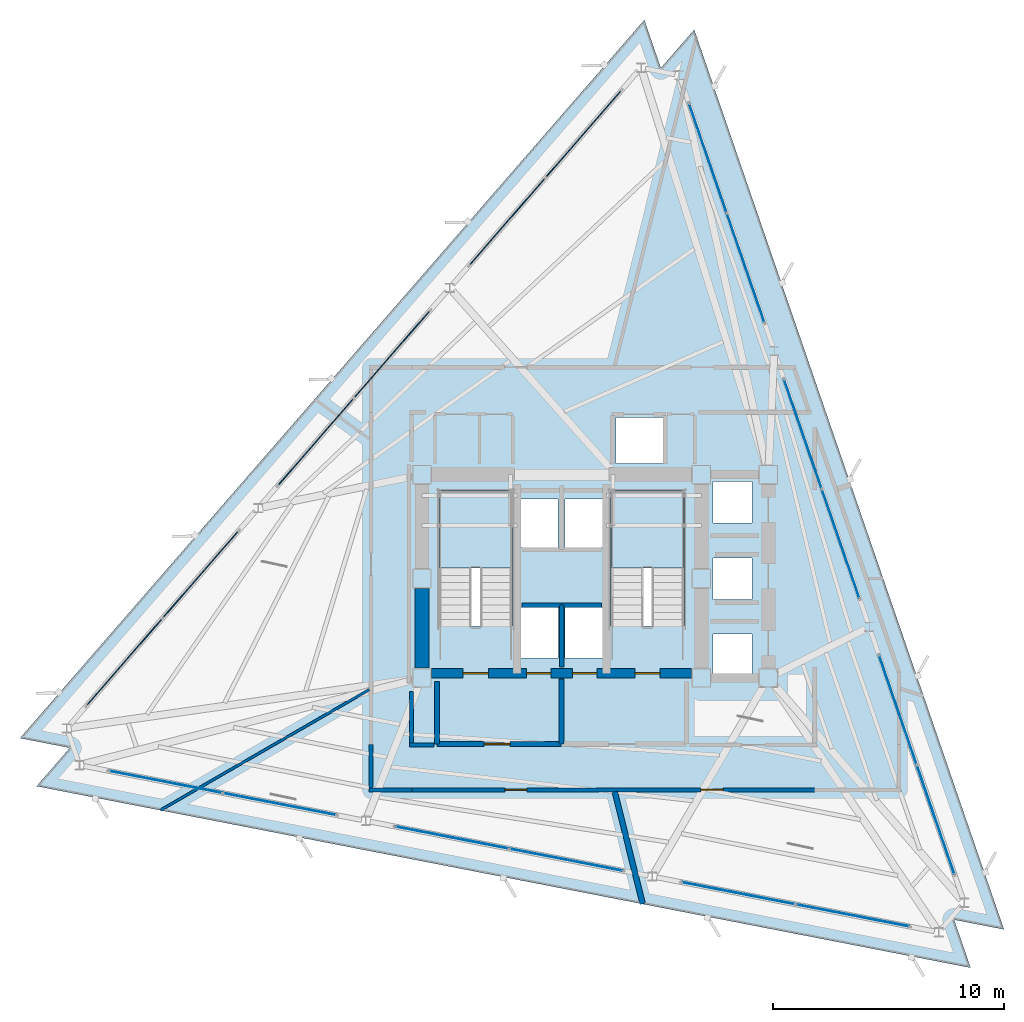
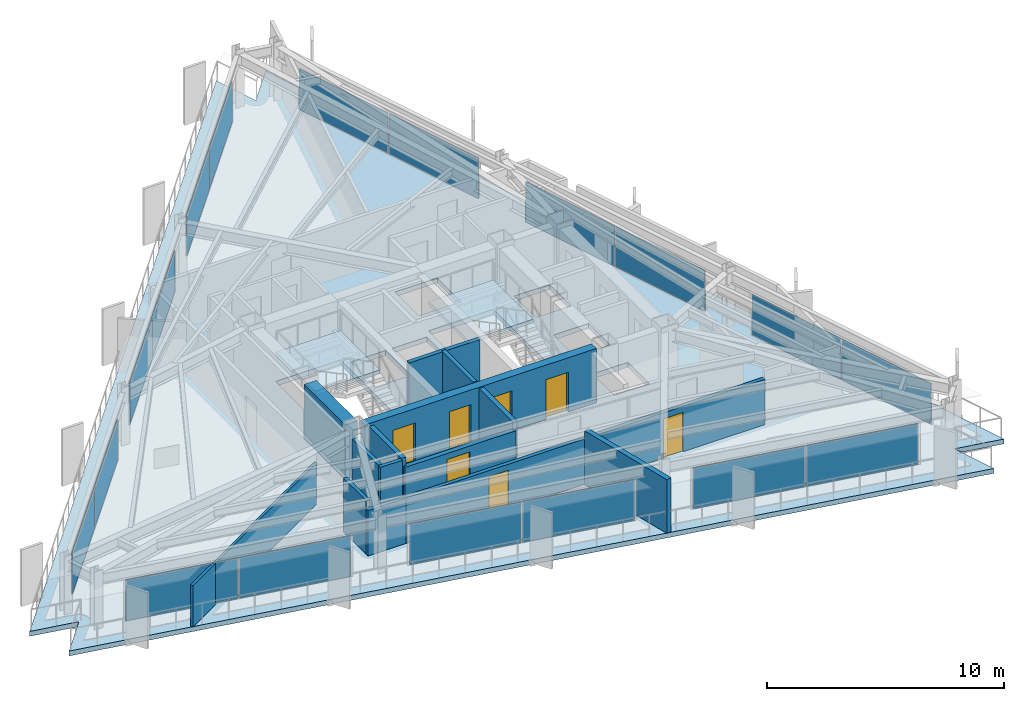
# One storey, part 8 of 13: 18 plates, 14 walls, 7 doors, 3 slabs, 7 openings, 11 elements without a shape of their own.
"""IFC4 building model written with IfcOpenShell, lengths in metres."""

from ifc_helpers import new_model, si_unit, direction, frame, frame_2d, origin, origin_2d, place, context, subcontext, project, spatial, polyline, rectangle, outline, extrude, material, layer, layer_set, type_object, element, fill, aggregate, save


model = new_model("IFC4")

# Units and contexts
model_context = context("Model", 3, precision=1e-05, world=origin(), true_north=direction((0.0, 1.0)))
body_context = subcontext(model_context, "Body", "Model", "MODEL_VIEW")
ifc_project = project(units=[si_unit("LENGTHUNIT", "METRE"), si_unit("AREAUNIT", "SQUARE_METRE"), si_unit("VOLUMEUNIT", "CUBIC_METRE"), si_unit("PLANEANGLEUNIT", "RADIAN"), si_unit("MASSUNIT", "GRAM", prefix="KILO")], contexts=[model_context])

# Site, building, storey
site_placement = place(None, origin())
site = spatial("IfcSite", under=ifc_project, at=site_placement, CompositionType="ELEMENT")
building_placement = place(site_placement, origin())
building = spatial("IfcBuilding", under=site, at=building_placement, Name="Rocaltana Carrier Exchange", CompositionType="ELEMENT")
storey_placement = place(building_placement, frame((0.0, 0.0, 153.280029296875)))
storey = spatial("IfcBuildingStorey", under=building, at=storey_placement, Name="L48", CompositionType="ELEMENT", Elevation=153.280029296875)

# Curtain wall, plates
ifc_material_1 = material(Name="Aluminium 6063-T6", Category="aluminium")
ifc_layer_1 = layer(ifc_material_1, 0.135009765625)
ifc_layer_set_1 = layer_set([ifc_layer_1], Name="Aluminium 6063-T6")
curtain_wall_type = type_object("IfcCurtainWallType", Name="Upper-Mid Acoustic Curtain Wall CW-04", PredefinedType="NOTDEFINED", material=ifc_layer_set_1)
curtain_wall_1_placement = place(storey_placement, origin())
curtain_wall_1 = element("IfcCurtainWall", 1, at=curtain_wall_1_placement, inside=storey, type_object=curtain_wall_type, Name="L48 CW-04 Run CW-L48-F1S1", PredefinedType="NOTDEFINED")
ifc_material_2 = material(Name="Tempered Laminated Glass", Category="glass")
ifc_layer_2 = layer(ifc_material_2, 0.0380859375)
ifc_layer_set_2 = layer_set([ifc_layer_2], Name="Tempered Laminated Glass")
plate_type = type_object("IfcPlateType", Name="CW-04 Stone-Insulated Vision Panel", PredefinedType="CURTAIN_PANEL", material=ifc_layer_set_2)
plate_1_placement = place(storey_placement, frame((16.197021484375, -10.4462890625, 0.06494140625), z_axis=(0.0, 0.0, 1.0), x_axis=(-0.325558788464, 0.945521800517, 0.0)))
plate_1 = element("IfcPlate", 2, at=plate_1_placement, type_object=plate_type, Name="CW-04 panel 1.1", PredefinedType="CURTAIN_PANEL", context=body_context, shape_type="SweptSolid", body=[
    extrude(rectangle(XDim=4.96923828125, YDim=0.0380859375, at=origin_2d()), origin(), (0.0, 0.0, 1.0), 2.087890625),
])
plate_2_placement = place(storey_placement, frame((14.55810546875, -5.686279296875, 0.06494140625), z_axis=(0.0, 0.0, 1.0), x_axis=(-0.325558788464, 0.945521800517, 0.0)))
plate_2 = element("IfcPlate", 3, at=plate_2_placement, type_object=plate_type, Name="CW-04 panel 2.1", PredefinedType="CURTAIN_PANEL", context=body_context, shape_type="SweptSolid", body=[
    extrude(rectangle(XDim=4.96923828125, YDim=0.0380859375, at=origin_2d()), origin(), (0.0, 0.0, 1.0), 2.087890625),
])
aggregate(curtain_wall_1, [plate_1, plate_2])

curtain_wall_2_placement = place(storey_placement, origin())
curtain_wall_2 = element("IfcCurtainWall", 4, at=curtain_wall_2_placement, inside=storey, type_object=curtain_wall_type, Name="L48 CW-04 Run CW-L48-F1S2", PredefinedType="NOTDEFINED")
plate_3_placement = place(storey_placement, frame((12.083984375, 1.498779296875, 0.06494140625), z_axis=(0.0, 0.0, 1.0), x_axis=(-0.32556182622, 0.945520754562, 0.0)))
plate_3 = element("IfcPlate", 5, at=plate_3_placement, type_object=plate_type, Name="CW-04 panel 1.1", PredefinedType="CURTAIN_PANEL", context=body_context, shape_type="SweptSolid", body=[
    extrude(rectangle(XDim=4.96923828125, YDim=0.0380859375, at=origin_2d()), origin(), (0.0, 0.0, 1.0), 2.087890625),
])
plate_4_placement = place(storey_placement, frame((10.445068359375, 6.258544921875, 0.06494140625), z_axis=(0.0, 0.0, 1.0), x_axis=(-0.32556182622, 0.945520754562, 0.0)))
plate_4 = element("IfcPlate", 6, at=plate_4_placement, type_object=plate_type, Name="CW-04 panel 2.1", PredefinedType="CURTAIN_PANEL", context=body_context, shape_type="SweptSolid", body=[
    extrude(rectangle(XDim=4.96923828125, YDim=0.0380859375, at=origin_2d()), origin(), (0.0, 0.0, 1.0), 2.087890625),
])
aggregate(curtain_wall_2, [plate_3, plate_4])

curtain_wall_3_placement = place(storey_placement, origin())
curtain_wall_3 = element("IfcCurtainWall", 7, at=curtain_wall_3_placement, inside=storey, type_object=curtain_wall_type, Name="L48 CW-04 Run CW-L48-F1S3", PredefinedType="NOTDEFINED")
plate_5_placement = place(storey_placement, frame((7.970947265625, 13.44384765625, 0.06494140625), z_axis=(0.0, 0.0, 1.0), x_axis=(-0.325558788464, 0.945521800517, 0.0)))
plate_5 = element("IfcPlate", 8, at=plate_5_placement, type_object=plate_type, Name="CW-04 panel 1.1", PredefinedType="CURTAIN_PANEL", context=body_context, shape_type="SweptSolid", body=[
    extrude(rectangle(XDim=4.96923828125, YDim=0.0380859375, at=origin_2d()), origin(), (0.0, 0.0, 1.0), 2.087890625),
])
plate_6_placement = place(storey_placement, frame((6.33203125, 18.20361328125, 0.06494140625), z_axis=(0.0, 0.0, 1.0), x_axis=(-0.325558788464, 0.945521800517, 0.0)))
plate_6 = element("IfcPlate", 9, at=plate_6_placement, type_object=plate_type, Name="CW-04 panel 2.1", PredefinedType="CURTAIN_PANEL", context=body_context, shape_type="SweptSolid", body=[
    extrude(rectangle(XDim=4.96923828125, YDim=0.0380859375, at=origin_2d()), origin(), (0.0, 0.0, 1.0), 2.087890625),
])
aggregate(curtain_wall_3, [plate_5, plate_6])

curtain_wall_4_placement = place(storey_placement, origin())
curtain_wall_4 = element("IfcCurtainWall", 10, at=curtain_wall_4_placement, inside=storey, type_object=curtain_wall_type, Name="L48 CW-04 Run CW-L48-F2S1", PredefinedType="NOTDEFINED")
plate_7_placement = place(storey_placement, frame((0.9482421875, 19.250244140625, 0.06494140625), z_axis=(0.0, 0.0, 1.0), x_axis=(-0.656056545375, -0.75471173919, 0.0)))
plate_7 = element("IfcPlate", 11, at=plate_7_placement, type_object=plate_type, Name="CW-04 panel 1.1", PredefinedType="CURTAIN_PANEL", context=body_context, shape_type="SweptSolid", body=[
    extrude(rectangle(XDim=4.96923828125, YDim=0.0380859375, at=origin_2d()), origin(), (0.0, 0.0, 1.0), 2.087890625),
])
plate_8_placement = place(storey_placement, frame((-2.3544921875, 15.450927734375, 0.06494140625), z_axis=(0.0, 0.0, 1.0), x_axis=(-0.656056545375, -0.75471173919, 0.0)))
plate_8 = element("IfcPlate", 12, at=plate_8_placement, type_object=plate_type, Name="CW-04 panel 2.1", PredefinedType="CURTAIN_PANEL", context=body_context, shape_type="SweptSolid", body=[
    extrude(rectangle(XDim=4.96923828125, YDim=0.0380859375, at=origin_2d()), origin(), (0.0, 0.0, 1.0), 2.087890625),
])
aggregate(curtain_wall_4, [plate_7, plate_8])

curtain_wall_5_placement = place(storey_placement, origin())
curtain_wall_5 = element("IfcCurtainWall", 13, at=curtain_wall_5_placement, inside=storey, type_object=curtain_wall_type, Name="L48 CW-04 Run CW-L48-F2S2", PredefinedType="NOTDEFINED")
plate_9_placement = place(storey_placement, frame((-7.33984375, 9.7158203125, 0.06494140625), z_axis=(0.0, 0.0, 1.0), x_axis=(-0.656056545375, -0.75471173919, 0.0)))
plate_9 = element("IfcPlate", 14, at=plate_9_placement, type_object=plate_type, Name="CW-04 panel 1.1", PredefinedType="CURTAIN_PANEL", context=body_context, shape_type="SweptSolid", body=[
    extrude(rectangle(XDim=4.96923828125, YDim=0.0380859375, at=origin_2d()), origin(), (0.0, 0.0, 1.0), 2.087890625),
])
plate_10_placement = place(storey_placement, frame((-10.642578125, 5.91650390625, 0.06494140625), z_axis=(0.0, 0.0, 1.0), x_axis=(-0.656056545375, -0.75471173919, 0.0)))
plate_10 = element("IfcPlate", 15, at=plate_10_placement, type_object=plate_type, Name="CW-04 panel 2.1", PredefinedType="CURTAIN_PANEL", context=body_context, shape_type="SweptSolid", body=[
    extrude(rectangle(XDim=4.96923828125, YDim=0.0380859375, at=origin_2d()), origin(), (0.0, 0.0, 1.0), 2.087890625),
])
aggregate(curtain_wall_5, [plate_9, plate_10])

curtain_wall_6_placement = place(storey_placement, origin())
curtain_wall_6 = element("IfcCurtainWall", 16, at=curtain_wall_6_placement, inside=storey, type_object=curtain_wall_type, Name="L48 CW-04 Run CW-L48-F2S3", PredefinedType="NOTDEFINED")
plate_11_placement = place(storey_placement, frame((-15.628173828125, 0.18115234375, 0.06494140625), z_axis=(0.0, 0.0, 1.0), x_axis=(-0.656056545375, -0.75471173919, 0.0)))
plate_11 = element("IfcPlate", 17, at=plate_11_placement, type_object=plate_type, Name="CW-04 panel 1.1", PredefinedType="CURTAIN_PANEL", context=body_context, shape_type="SweptSolid", body=[
    extrude(rectangle(XDim=4.96923828125, YDim=0.0380859375, at=origin_2d()), origin(), (0.0, 0.0, 1.0), 2.087890625),
])
plate_12_placement = place(storey_placement, frame((-18.930908203125, -3.6181640625, 0.06494140625), z_axis=(0.0, 0.0, 1.0), x_axis=(-0.656056545375, -0.75471173919, 0.0)))
plate_12 = element("IfcPlate", 18, at=plate_12_placement, type_object=plate_type, Name="CW-04 panel 2.1", PredefinedType="CURTAIN_PANEL", context=body_context, shape_type="SweptSolid", body=[
    extrude(rectangle(XDim=4.96923828125, YDim=0.0380859375, at=origin_2d()), origin(), (0.0, 0.0, 1.0), 2.087890625),
])
aggregate(curtain_wall_6, [plate_11, plate_12])

curtain_wall_7_placement = place(storey_placement, origin())
curtain_wall_7 = element("IfcCurtainWall", 19, at=curtain_wall_7_placement, inside=storey, type_object=curtain_wall_type, Name="L48 CW-04 Run CW-L48-F3S1", PredefinedType="NOTDEFINED")
plate_13_placement = place(storey_placement, frame((-17.145263671875, -8.803955078125, 0.06494140625), z_axis=(0.0, 0.0, 1.0), x_axis=(0.981628278569, -0.190803361378, 0.0)))
plate_13 = element("IfcPlate", 20, at=plate_13_placement, type_object=plate_type, Name="CW-04 panel 1.1", PredefinedType="CURTAIN_PANEL", context=body_context, shape_type="SweptSolid", body=[
    extrude(rectangle(XDim=4.96923828125, YDim=0.0380859375, at=origin_2d()), origin(), (0.0, 0.0, 1.0), 2.087890625),
])
plate_14_placement = place(storey_placement, frame((-12.20361328125, -9.764404296875, 0.06494140625), z_axis=(0.0, 0.0, 1.0), x_axis=(0.981628278569, -0.190803361378, 0.0)))
plate_14 = element("IfcPlate", 21, at=plate_14_placement, type_object=plate_type, Name="CW-04 panel 2.1", PredefinedType="CURTAIN_PANEL", context=body_context, shape_type="SweptSolid", body=[
    extrude(rectangle(XDim=4.96923828125, YDim=0.0380859375, at=origin_2d()), origin(), (0.0, 0.0, 1.0), 2.087890625),
])
aggregate(curtain_wall_7, [plate_13, plate_14])

curtain_wall_8_placement = place(storey_placement, origin())
curtain_wall_8 = element("IfcCurtainWall", 22, at=curtain_wall_8_placement, inside=storey, type_object=curtain_wall_type, Name="L48 CW-04 Run CW-L48-F3S2", PredefinedType="NOTDEFINED")
plate_15_placement = place(storey_placement, frame((-4.744140625, -11.21435546875, 0.06494140625), z_axis=(0.0, 0.0, 1.0), x_axis=(0.981626070913, -0.190814718784, 0.0)))
plate_15 = element("IfcPlate", 23, at=plate_15_placement, type_object=plate_type, Name="CW-04 panel 1.1", PredefinedType="CURTAIN_PANEL", context=body_context, shape_type="SweptSolid", body=[
    extrude(rectangle(XDim=4.96923828125, YDim=0.0380859375, at=origin_2d()), origin(), (0.0, 0.0, 1.0), 2.087890625),
])
plate_16_placement = place(storey_placement, frame((0.19775390625, -12.175048828125, 0.06494140625), z_axis=(0.0, 0.0, 1.0), x_axis=(0.981626070913, -0.190814718784, 0.0)))
plate_16 = element("IfcPlate", 24, at=plate_16_placement, type_object=plate_type, Name="CW-04 panel 2.1", PredefinedType="CURTAIN_PANEL", context=body_context, shape_type="SweptSolid", body=[
    extrude(rectangle(XDim=4.96923828125, YDim=0.0380859375, at=origin_2d()), origin(), (0.0, 0.0, 1.0), 2.087890625),
])
aggregate(curtain_wall_8, [plate_15, plate_16])

curtain_wall_9_placement = place(storey_placement, origin())
curtain_wall_9 = element("IfcCurtainWall", 25, at=curtain_wall_9_placement, inside=storey, type_object=curtain_wall_type, Name="L48 CW-04 Run CW-L48-F3S3", PredefinedType="NOTDEFINED")
plate_17_placement = place(storey_placement, frame((7.6572265625, -13.625, 0.06494140625), z_axis=(0.0, 0.0, 1.0), x_axis=(0.981627919301, -0.190805209699, 0.0)))
plate_17 = element("IfcPlate", 26, at=plate_17_placement, type_object=plate_type, Name="CW-04 panel 1.1", PredefinedType="CURTAIN_PANEL", context=body_context, shape_type="SweptSolid", body=[
    extrude(rectangle(XDim=4.96923828125, YDim=0.0380859375, at=origin_2d()), origin(), (0.0, 0.0, 1.0), 2.087890625),
])
plate_18_placement = place(storey_placement, frame((12.598876953125, -14.58544921875, 0.06494140625), z_axis=(0.0, 0.0, 1.0), x_axis=(0.981627919301, -0.190805209699, 0.0)))
plate_18 = element("IfcPlate", 27, at=plate_18_placement, type_object=plate_type, Name="CW-04 panel 2.1", PredefinedType="CURTAIN_PANEL", context=body_context, shape_type="SweptSolid", body=[
    extrude(rectangle(XDim=4.96923828125, YDim=0.0380859375, at=origin_2d()), origin(), (0.0, 0.0, 1.0), 2.087890625),
])
aggregate(curtain_wall_9, [plate_17, plate_18])

# Slab
ifc_material_3 = material(Name="Concrete C50/60", Category="concrete")
ifc_layer_3 = layer(ifc_material_3, 0.25)
ifc_layer_set_3 = layer_set([ifc_layer_3], Name="Concrete C50/60")
slab_type_1 = type_object("IfcSlabType", Name="Mid-Zone Tower Slab 250", PredefinedType="FLOOR", material=ifc_layer_set_3)
slab_1_placement = place(storey_placement, frame((0.0, 0.0, -0.25)))
element("IfcSlab", 28, at=slab_1_placement, inside=storey, type_object=slab_type_1, Name="L48 Structural Floor Slab", PredefinedType="FLOOR", context=body_context, shape_type="SweptSolid", body=[
    extrude(outline(polyline([(17.709716796875, -16.852294921875), (16.993408203125, -14.772216796875), (19.153076171875, -15.19189453125), (5.73974609375, 23.76318359375), (4.29638671875, 22.10302734375), (3.580078125, 24.18310546875), (-23.449462890625, -6.910888671875), (-21.289794921875, -7.330810546875), (-22.7333984375, -8.9912109375), (17.709716796875, -16.852294921875)]), holes=[polyline([(-5.300048828125, -2.06005859375), (-2.139892578125, -2.06005859375), (-2.139892578125, 3.800048828125), (-5.300048828125, 3.800048828125), (-5.300048828125, -2.06005859375)]), polyline([(2.139892578125, -2.06005859375), (5.300048828125, -2.06005859375), (5.300048828125, 3.800048828125), (2.139892578125, 3.800048828125), (2.139892578125, -2.06005859375)]), polyline([(-1.85009765625, -3.449951171875), (-0.14990234375, -3.449951171875), (-0.14990234375, -1.25), (-1.85009765625, -1.25), (-1.85009765625, -3.449951171875)]), polyline([(0.14990234375, -3.449951171875), (1.85009765625, -3.449951171875), (1.85009765625, -1.25), (0.14990234375, -1.25), (0.14990234375, -3.449951171875)]), polyline([(2.35009765625, 4.97998046875), (4.39990234375, 4.97998046875), (4.39990234375, 6.97998046875), (2.35009765625, 6.97998046875), (2.35009765625, 4.97998046875)]), polyline([(-1.85009765625, 1.35009765625), (-0.14990234375, 1.35009765625), (-0.14990234375, 3.449951171875), (-1.85009765625, 3.449951171875), (-1.85009765625, 1.35009765625)]), polyline([(0.14990234375, 1.35009765625), (1.85009765625, 1.35009765625), (1.85009765625, 3.449951171875), (0.14990234375, 3.449951171875), (0.14990234375, 1.35009765625)]), polyline([(6.550048828125, -4.199951171875), (8.25, -4.199951171875), (8.25, -2.39990234375), (6.550048828125, -2.39990234375), (6.550048828125, -4.199951171875)]), polyline([(6.550048828125, -0.89990234375), (8.25, -0.89990234375), (8.25, 0.89990234375), (6.550048828125, 0.89990234375), (6.550048828125, -0.89990234375)]), polyline([(6.550048828125, 2.39990234375), (8.25, 2.39990234375), (8.25, 4.199951171875), (6.550048828125, 4.199951171875), (6.550048828125, 2.39990234375)])]), origin(), (0.0, 0.0, 1.0), 0.25),
])

# Stair, slab
ifc_material_4 = material(Name="Precast concrete C45/55", Category="concrete")
stair_type = type_object("IfcStairType", Name="Standard Dog-Leg Stair 160", PredefinedType="HALF_TURN_STAIR", material=ifc_material_4)
stair_1_placement = place(storey_placement, origin())
stair_1 = element("IfcStair", 29, at=stair_1_placement, inside=storey, type_object=stair_type, Name="L48 Core West Exit Stair ST-1", PredefinedType="HALF_TURN_STAIR")
ifc_material_5 = material(Name="Precast concrete C45/55", Category="concrete")
ifc_layer_4 = layer(ifc_material_5, 0.199951171875)
ifc_layer_set_4 = layer_set([ifc_layer_4], Name="Precast concrete C45/55")
slab_type_2 = type_object("IfcSlabType", Name="Precast Stair Half-Landing 200", PredefinedType="LANDING", material=ifc_layer_set_4)
slab_2_placement = place(storey_placement, frame((0.0, 0.0, 1.320068359375)))
slab_2 = element("IfcSlab", 30, at=slab_2_placement, type_object=slab_type_2, Name="ST-1 landing 1", PredefinedType="LANDING", context=body_context, shape_type="SweptSolid", body=[
    extrude(outline(polyline([(-2.139892578125, 0.4599609375), (-2.139892578125, 3.800048828125), (-5.300048828125, 3.800048828125), (-5.300048828125, 0.4599609375), (-2.139892578125, 0.4599609375)])), origin(), (0.0, 0.0, 1.0), 0.199951171875),
])
aggregate(stair_1, [slab_2])

stair_2_placement = place(storey_placement, origin())
stair_2 = element("IfcStair", 31, at=stair_2_placement, inside=storey, type_object=stair_type, Name="L48 Core East Exit Stair ST-2", PredefinedType="HALF_TURN_STAIR")
slab_3_placement = place(storey_placement, frame((0.0, 0.0, 1.320068359375)))
slab_3 = element("IfcSlab", 32, at=slab_3_placement, type_object=slab_type_2, Name="ST-2 landing 1", PredefinedType="LANDING", context=body_context, shape_type="SweptSolid", body=[
    extrude(outline(polyline([(5.300048828125, 0.4599609375), (5.300048828125, 3.800048828125), (2.139892578125, 3.800048828125), (2.139892578125, 0.4599609375), (5.300048828125, 0.4599609375)])), origin(), (0.0, 0.0, 1.0), 0.199951171875),
])
aggregate(stair_2, [slab_3])

# Wall, openings, doors
ifc_material_6 = material(Name="Concrete C50/60", Category="concrete")
ifc_layer_5 = layer(ifc_material_6, 0.39990234375)
ifc_layer_set_5 = layer_set([ifc_layer_5], Name="Concrete C50/60")
wall_type_1 = type_object("IfcWallType", Name="Core Internal Shear Wall 400", PredefinedType="SHEAR", material=ifc_layer_set_5)
wall_1_placement = place(storey_placement, frame((-5.625, -4.10009765625, 0.0), z_axis=(0.0, 0.0, 1.0), x_axis=(1.0, 0.0, 0.0)))
wall_1 = element("IfcWall", 33, at=wall_1_placement, inside=storey, type_object=wall_type_1, Name="L48 Core Shear Wall CW-S", PredefinedType="SHEAR", context=body_context, shape_type="SweptSolid", body=[
    extrude(rectangle(XDim=11.25, YDim=0.39990234375, at=frame_2d((5.625, 0.0))), origin(), (0.0, 0.0, 1.0), 2.7880859375),
])
opening_1_placement = place(wall_1_placement, frame((1.35498046875, 0.0, 0.0)))
opening_1 = element("IfcOpeningElement", 34, at=opening_1_placement, cuts=wall_1, Name="Opening D-ST110", PredefinedType="OPENING", context=body_context, shape_type="SweptSolid", body=[
    extrude(rectangle(XDim=1.10009765625, YDim=2.0400390625, at=frame_2d((0.550048828125, 1.02001953125))), frame((0.0, 0.2099609375, 0.0), z_axis=(0.0, -1.0, 0.0), x_axis=(1.0, 0.0, 0.0)), (0.0, 0.0, 1.0), 0.419921875),
])
opening_2_placement = place(wall_1_placement, frame((8.794921875, 0.0, 0.0)))
opening_2 = element("IfcOpeningElement", 35, at=opening_2_placement, cuts=wall_1, Name="Opening D-ST110", PredefinedType="OPENING", context=body_context, shape_type="SweptSolid", body=[
    extrude(rectangle(XDim=1.10009765625, YDim=2.0400390625, at=frame_2d((0.550048828125, 1.02001953125))), frame((0.0, 0.2099609375, 0.0), z_axis=(0.0, -1.0, 0.0), x_axis=(1.0, 0.0, 0.0)), (0.0, 0.0, 1.0), 0.419921875),
])
opening_3_placement = place(wall_1_placement, frame((4.094970703125, 0.0, 0.0)))
opening_3 = element("IfcOpeningElement", 36, at=opening_3_placement, cuts=wall_1, Name="Opening LD-110", PredefinedType="OPENING", context=body_context, shape_type="SweptSolid", body=[
    extrude(rectangle(XDim=1.06005859375, YDim=2.0400390625, at=frame_2d((0.530029296875, 1.02001953125))), frame((0.0, 0.2099609375, 0.0), z_axis=(0.0, -1.0, 0.0), x_axis=(1.0, 0.0, 0.0)), (0.0, 0.0, 1.0), 0.419921875),
])
opening_4_placement = place(wall_1_placement, frame((6.094970703125, 0.0, 0.0)))
opening_4 = element("IfcOpeningElement", 37, at=opening_4_placement, cuts=wall_1, Name="Opening LD-110", PredefinedType="OPENING", context=body_context, shape_type="SweptSolid", body=[
    extrude(rectangle(XDim=1.06005859375, YDim=2.0400390625, at=frame_2d((0.530029296875, 1.02001953125))), frame((0.0, 0.2099609375, 0.0), z_axis=(0.0, -1.0, 0.0), x_axis=(1.0, 0.0, 0.0)), (0.0, 0.0, 1.0), 0.419921875),
])
ifc_material_7 = material(Name="Hollow Metal Fire Door Assembly", Category="steel")
door_type_1 = type_object("IfcDoorType", Name="Exit Stair Fire Door 1100x2040 FD90S", OperationType="NOTDEFINED", PredefinedType="DOOR", material=ifc_material_7)
door_1_placement = place(opening_1_placement, origin())
door_1 = element("IfcDoor", 38, at=door_1_placement, inside=storey, type_object=door_type_1, Name="L48 Exit Stair ST1 Fire Door", OperationType="SINGLE_SWING_LEFT", OverallHeight=2.0400390625, OverallWidth=1.10009765625, PredefinedType="DOOR", context=body_context, shape_type="SweptSolid", body=[
    extrude(rectangle(XDim=1.10009765625, YDim=2.0400390625, at=frame_2d((0.550048828125, 1.02001953125))), frame((0.0, 0.02490234375, 0.0), z_axis=(0.0, -1.0, 0.0), x_axis=(1.0, 0.0, 0.0)), (0.0, 0.0, 1.0), 0.050048828125),
])
fill(opening_1, door_1)
door_2_placement = place(opening_2_placement, origin())
door_2 = element("IfcDoor", 39, at=door_2_placement, inside=storey, type_object=door_type_1, Name="L48 Exit Stair ST2 Fire Door", OperationType="SINGLE_SWING_RIGHT", OverallHeight=2.0400390625, OverallWidth=1.10009765625, PredefinedType="DOOR", context=body_context, shape_type="SweptSolid", body=[
    extrude(rectangle(XDim=1.10009765625, YDim=2.0400390625, at=frame_2d((0.550048828125, 1.02001953125))), frame((0.0, 0.02490234375, 0.0), z_axis=(0.0, -1.0, 0.0), x_axis=(1.0, 0.0, 0.0)), (0.0, 0.0, 1.0), 0.050048828125),
])
fill(opening_2, door_2)
ifc_material_8 = material(Name="Brushed Stainless Sliding Door Leaf", Category="steel")
door_type_2 = type_object("IfcDoorType", Name="Lift Landing Sliding Door 1060x2040", OperationType="NOTDEFINED", PredefinedType="DOOR", material=ifc_material_8)
door_3_placement = place(opening_3_placement, origin())
door_3 = element("IfcDoor", 40, at=door_3_placement, inside=storey, type_object=door_type_2, Name="L48 Firefighting Lift FFL1 Landing Door", OperationType="SLIDING_TO_LEFT", OverallHeight=2.0400390625, OverallWidth=1.06005859375, PredefinedType="DOOR", context=body_context, shape_type="SweptSolid", body=[
    extrude(rectangle(XDim=1.06005859375, YDim=2.0400390625, at=frame_2d((0.530029296875, 1.02001953125))), frame((0.0, 0.02490234375, 0.0), z_axis=(0.0, -1.0, 0.0), x_axis=(1.0, 0.0, 0.0)), (0.0, 0.0, 1.0), 0.050048828125),
])
fill(opening_3, door_3)
door_4_placement = place(opening_4_placement, origin())
door_4 = element("IfcDoor", 41, at=door_4_placement, inside=storey, type_object=door_type_2, Name="L48 Firefighting Lift FFL2 Landing Door", OperationType="SLIDING_TO_RIGHT", OverallHeight=2.0400390625, OverallWidth=1.06005859375, PredefinedType="DOOR", context=body_context, shape_type="SweptSolid", body=[
    extrude(rectangle(XDim=1.06005859375, YDim=2.0400390625, at=frame_2d((0.530029296875, 1.02001953125))), frame((0.0, 0.02490234375, 0.0), z_axis=(0.0, -1.0, 0.0), x_axis=(1.0, 0.0, 0.0)), (0.0, 0.0, 1.0), 0.050048828125),
])
fill(opening_4, door_4)

# Walls
ifc_material_9 = material(Name="Concrete C50/60", Category="concrete")
ifc_layer_6 = layer(ifc_material_9, 0.60009765625)
ifc_layer_set_6 = layer_set([ifc_layer_6], Name="Concrete C50/60")
wall_type_2 = type_object("IfcWallType", Name="Core Shear Wall 600", PredefinedType="SHEAR", material=ifc_layer_set_6)
wall_2_placement = place(storey_placement, frame((-6.050048828125, -3.875, 0.0), z_axis=(0.0, 0.0, 1.0), x_axis=(0.0, 1.0, 0.0)))
element("IfcWall", 42, at=wall_2_placement, inside=storey, type_object=wall_type_2, Name="L48 Core Shear Wall CW-WS", PredefinedType="SHEAR", context=body_context, shape_type="SweptSolid", body=[
    extrude(rectangle(XDim=3.449951171875, YDim=0.60009765625, at=frame_2d((1.72509765625, 0.0))), origin(), (0.0, 0.0, 1.0), 2.7880859375),
])
ifc_material_10 = material(Name="Gypsum & Steel Stud Partition", Category="steel")
ifc_layer_7 = layer(ifc_material_10, 0.179931640625)
ifc_layer_set_7 = layer_set([ifc_layer_7], Name="Gypsum & Steel Stud Partition")
wall_type_3 = type_object("IfcWallType", Name="Corridor Fire Partition 180 EI60", PredefinedType="PARTITIONING", material=ifc_layer_set_7)
wall_3_placement = place(storey_placement, frame((-6.47998046875, -9.14990234375, 0.0), z_axis=(0.0, 0.0, 1.0), x_axis=(-1.0, 0.0, 0.0)))
element("IfcWall", 43, at=wall_3_placement, inside=storey, type_object=wall_type_3, Name="L48 Corridor Partition 1", PredefinedType="PARTITIONING", context=body_context, shape_type="SweptSolid", body=[
    extrude(rectangle(XDim=1.860107421875, YDim=0.179931640625, at=frame_2d((0.93017578125, 0.0))), origin(), (0.0, 0.0, 1.0), 2.330078125),
])
wall_4_placement = place(storey_placement, frame((-8.25, -9.06005859375, 0.0), z_axis=(0.0, 0.0, 1.0), x_axis=(0.0, 1.0, 0.0)))
element("IfcWall", 44, at=wall_4_placement, inside=storey, type_object=wall_type_3, Name="L48 Corridor Partition 2", PredefinedType="PARTITIONING", context=body_context, shape_type="SweptSolid", body=[
    extrude(rectangle(XDim=1.880126953125, YDim=0.179931640625, at=frame_2d((0.93994140625, 0.0))), origin(), (0.0, 0.0, 1.0), 2.762939453125),
])
wall_5_placement = place(storey_placement, frame((-6.5, -4.8798828125, 0.0), z_axis=(0.0, 0.0, 1.0), x_axis=(0.0, -1.0, 0.0)))
element("IfcWall", 45, at=wall_5_placement, inside=storey, type_object=wall_type_3, Name="L48 Corridor Partition 12", PredefinedType="PARTITIONING", context=body_context, shape_type="SweptSolid", body=[
    extrude(rectangle(XDim=2.230224609375, YDim=0.179931640625, at=frame_2d((1.115234375, 0.0))), origin(), (0.0, 0.0, 1.0), 2.762939453125),
])
wall_6_placement = place(storey_placement, frame((-6.590087890625, -7.199951171875, 0.0), z_axis=(0.0, 0.0, 1.0), x_axis=(1.0, 0.0, 0.0)))
element("IfcWall", 46, at=wall_6_placement, inside=storey, type_object=wall_type_3, Name="L48 Corridor Partition 13", PredefinedType="PARTITIONING", context=body_context, shape_type="SweptSolid", body=[
    extrude(rectangle(XDim=1.06005859375, YDim=0.179931640625, at=frame_2d((0.530029296875, 0.0))), origin(), (0.0, 0.0, 1.0), 2.762939453125),
])

# Wall, openings, doors
wall_7_placement = place(storey_placement, frame((10.97998046875, -9.14990234375, 0.0), z_axis=(0.0, 0.0, 1.0), x_axis=(-1.0, 0.0, 0.0)))
wall_7 = element("IfcWall", 47, at=wall_7_placement, inside=storey, type_object=wall_type_3, Name="L48 Corridor Partition 21", PredefinedType="PARTITIONING", context=body_context, shape_type="SweptSolid", body=[
    extrude(rectangle(XDim=17.5, YDim=0.179931640625, at=frame_2d((8.75, 0.0))), origin(), (0.0, 0.0, 1.0), 2.330078125),
])
opening_5_placement = place(wall_7_placement, frame((12.480224609375, 0.0, 0.0)))
opening_5 = element("IfcOpeningElement", 48, at=opening_5_placement, cuts=wall_7, Name="Opening D-RM098", PredefinedType="OPENING", context=body_context, shape_type="SweptSolid", body=[
    extrude(rectangle(XDim=0.9599609375, YDim=2.02001953125, at=frame_2d((0.47998046875, 1.010009765625))), frame((0.0, 0.099853515625, 0.0), z_axis=(0.0, -1.0, 0.0), x_axis=(1.0, 0.0, 0.0)), (0.0, 0.0, 1.0), 0.199951171875),
])
opening_6_placement = place(wall_7_placement, frame((3.98828125, 0.0, 0.0)))
opening_6 = element("IfcOpeningElement", 49, at=opening_6_placement, cuts=wall_7, Name="Opening D-RM098", PredefinedType="OPENING", context=body_context, shape_type="SweptSolid", body=[
    extrude(rectangle(XDim=0.9599609375, YDim=2.02001953125, at=frame_2d((0.47998046875, 1.010009765625))), frame((0.0, 0.099853515625, 0.0), z_axis=(0.0, -1.0, 0.0), x_axis=(1.0, 0.0, 0.0)), (0.0, 0.0, 1.0), 0.199951171875),
])
ifc_material_11 = material(Name="Engineered Hardwood Timber", Category="wood")
door_type_3 = type_object("IfcDoorType", Name="Workspace Single Door 960x2020", OperationType="NOTDEFINED", PredefinedType="DOOR", material=ifc_material_11)
door_5_placement = place(opening_5_placement, origin())
door_5 = element("IfcDoor", 50, at=door_5_placement, inside=storey, type_object=door_type_3, Name="L48 Network Operations Office Entrance Door", OperationType="SINGLE_SWING_LEFT", OverallHeight=2.02001953125, OverallWidth=0.9599609375, PredefinedType="DOOR", context=body_context, shape_type="SweptSolid", body=[
    extrude(rectangle(XDim=0.9599609375, YDim=2.02001953125, at=frame_2d((0.47998046875, 1.010009765625))), frame((0.0, 0.02490234375, 0.0), z_axis=(0.0, -1.0, 0.0), x_axis=(1.0, 0.0, 0.0)), (0.0, 0.0, 1.0), 0.050048828125),
])
fill(opening_5, door_5)
door_6_placement = place(opening_6_placement, origin())
door_6 = element("IfcDoor", 51, at=door_6_placement, inside=storey, type_object=door_type_3, Name="L48 Cloud Architecture Office Entrance Door", OperationType="SINGLE_SWING_RIGHT", OverallHeight=2.02001953125, OverallWidth=0.9599609375, PredefinedType="DOOR", context=body_context, shape_type="SweptSolid", body=[
    extrude(rectangle(XDim=0.9599609375, YDim=2.02001953125, at=frame_2d((0.47998046875, 1.010009765625))), frame((0.0, 0.02490234375, 0.0), z_axis=(0.0, -1.0, 0.0), x_axis=(1.0, 0.0, 0.0)), (0.0, 0.0, 1.0), 0.050048828125),
])
fill(opening_6, door_6)

# Walls
ifc_material_12 = material(Name="Aluminium 6063-T6 & Acoustic Glass", Category="aluminium")
ifc_layer_8 = layer(ifc_material_12, 0.114990234375)
ifc_layer_set_8 = layer_set([ifc_layer_8], Name="Aluminium 6063-T6 & Acoustic Glass")
wall_type_4 = type_object("IfcWallType", Name="Demountable Glazed Lab Partition 115", PredefinedType="MOVABLE", material=ifc_layer_set_8)
wall_8_placement = place(storey_placement, frame((-8.330078125, -4.809326171875, 0.0), z_axis=(0.0, 0.0, 1.0), x_axis=(-0.866024997974, -0.500000702884, 0.0)))
element("IfcWall", 52, at=wall_8_placement, inside=storey, type_object=wall_type_4, Name="L48 Suite Divider Wall D1", PredefinedType="MOVABLE", context=body_context, shape_type="SweptSolid", body=[
    extrude(rectangle(XDim=10.4306640625, YDim=0.114990234375, at=frame_2d((5.21533203125, 0.0))), origin(), (0.0, 0.0, 1.0), 2.132080078125),
])
ifc_material_13 = material(Name="Autoclaved Aerated Concrete C30/37", Category="concrete")
ifc_layer_9 = layer(ifc_material_13, 0.219970703125)
ifc_layer_set_9 = layer_set([ifc_layer_9], Name="Autoclaved Aerated Concrete C30/37")
wall_type_5 = type_object("IfcWallType", Name="Firefighting Lobby Wall 220 EI120", PredefinedType="PARTITIONING", material=ifc_layer_set_9)
wall_9_placement = place(storey_placement, frame((-5.39990234375, -7.159912109375, 0.0), z_axis=(0.0, 0.0, 1.0), x_axis=(0.0, 1.0, 0.0)))
element("IfcWall", 53, at=wall_9_placement, inside=storey, type_object=wall_type_5, Name="L48 FFL Lobby 1 West Wall", PredefinedType="PARTITIONING", context=body_context, shape_type="SweptSolid", body=[
    extrude(rectangle(XDim=2.7099609375, YDim=0.219970703125, at=frame_2d((1.35498046875, 0.0))), origin(), (0.0, 0.0, 1.0), 2.762939453125),
])
wall_10_placement = place(storey_placement, frame((0.0, -7.159912109375, 0.0), z_axis=(0.0, 0.0, 1.0), x_axis=(0.0, 1.0, 0.0)))
element("IfcWall", 54, at=wall_10_placement, inside=storey, type_object=wall_type_5, Name="L48 FFL Lobby Centre Wall", PredefinedType="PARTITIONING", context=body_context, shape_type="SweptSolid", body=[
    extrude(rectangle(XDim=2.809814453125, YDim=0.219970703125, at=frame_2d((1.40478515625, 0.0))), origin(), (0.0, 0.0, 1.0), 2.762939453125),
])

# Wall, opening, door
wall_11_placement = place(storey_placement, frame((-5.39990234375, -7.159912109375, 0.0), z_axis=(0.0, 0.0, 1.0), x_axis=(1.0, 0.0, 0.0)))
wall_11 = element("IfcWall", 55, at=wall_11_placement, inside=storey, type_object=wall_type_5, Name="L48 FFL Lobby 1 South Wall", PredefinedType="PARTITIONING", context=body_context, shape_type="SweptSolid", body=[
    extrude(rectangle(XDim=5.39990234375, YDim=0.219970703125, at=frame_2d((2.699951171875, 0.0))), origin(), (0.0, 0.0, 1.0), 2.330078125),
])
opening_7_placement = place(wall_11_placement, frame((2.050048828125, 0.0, 0.0)))
opening_7 = element("IfcOpeningElement", 56, at=opening_7_placement, cuts=wall_11, Name="Opening D-FF115", PredefinedType="OPENING", context=body_context, shape_type="SweptSolid", body=[
    extrude(rectangle(XDim=1.1201171875, YDim=2.02001953125, at=frame_2d((0.56005859375, 1.010009765625))), frame((0.0, 0.119873046875, 0.0), z_axis=(0.0, -1.0, 0.0), x_axis=(1.0, 0.0, 0.0)), (0.0, 0.0, 1.0), 0.239990234375),
])
ifc_material_14 = material(Name="Hollow Metal Fire Door Assembly", Category="steel")
door_type_4 = type_object("IfcDoorType", Name="Firefighting Lobby Door 1120x2020 FD60S", OperationType="NOTDEFINED", PredefinedType="DOOR", material=ifc_material_14)
door_7_placement = place(opening_7_placement, origin())
door_7 = element("IfcDoor", 57, at=door_7_placement, inside=storey, type_object=door_type_4, Name="L48 Firefighting Lift Lobby 1 Door", OperationType="SINGLE_SWING_LEFT", OverallHeight=2.02001953125, OverallWidth=1.1201171875, PredefinedType="DOOR", context=body_context, shape_type="SweptSolid", body=[
    extrude(rectangle(XDim=1.1201171875, YDim=2.02001953125, at=frame_2d((0.56005859375, 1.010009765625))), frame((0.0, 0.02490234375, 0.0), z_axis=(0.0, -1.0, 0.0), x_axis=(1.0, 0.0, 0.0)), (0.0, 0.0, 1.0), 0.050048828125),
])
fill(opening_7, door_7)

# Walls
ifc_material_15 = material(Name="Acoustic Calcium Silicate Partition", Category="gypsum")
ifc_layer_10 = layer(ifc_material_15, 0.239990234375)
ifc_layer_set_10 = layer_set([ifc_layer_10], Name="Acoustic Calcium Silicate Partition")
wall_type_6 = type_object("IfcWallType", Name="Heavy Lab Partition 240 EI90", PredefinedType="PARTITIONING", material=ifc_layer_set_10)
wall_12_placement = place(storey_placement, frame((2.30126953125, -9.22998046875, 0.0), z_axis=(0.0, 0.0, 1.0), x_axis=(0.241903783585, -0.970300241929, 0.0)))
element("IfcWall", 58, at=wall_12_placement, inside=storey, type_object=wall_type_6, Name="L48 Suite Divider Wall D2", PredefinedType="PARTITIONING", context=body_context, shape_type="SweptSolid", body=[
    extrude(rectangle(XDim=5.000732421875, YDim=0.239990234375, at=frame_2d((2.50048828125, 0.0))), origin(), (0.0, 0.0, 1.0), 2.762939453125),
])
ifc_material_16 = material(Name="Reinforced Concrete Block C35/45", Category="concrete")
ifc_layer_11 = layer(ifc_material_16, 0.199951171875)
ifc_layer_set_11 = layer_set([ifc_layer_11], Name="Reinforced Concrete Block C35/45")
wall_type_7 = type_object("IfcWallType", Name="Lift Hoistway Enclosure Wall 200 EI120", PredefinedType="PARTITIONING", material=ifc_layer_set_11)
wall_13_placement = place(storey_placement, frame((0.0, -3.820068359375, 0.0), z_axis=(0.0, 0.0, 1.0), x_axis=(0.0, 1.0, 0.0)))
element("IfcWall", 59, at=wall_13_placement, inside=storey, type_object=wall_type_7, Name="L48 FFL Shaft Divider", PredefinedType="PARTITIONING", context=body_context, shape_type="SweptSolid", body=[
    extrude(rectangle(XDim=2.670166015625, YDim=0.199951171875, at=frame_2d((1.3349609375, 0.0))), origin(), (0.0, 0.0, 1.0), 2.762939453125),
])
wall_14_placement = place(storey_placement, frame((-1.719970703125, -1.14990234375, 0.0), z_axis=(0.0, 0.0, 1.0), x_axis=(1.0, 0.0, 0.0)))
element("IfcWall", 60, at=wall_14_placement, inside=storey, type_object=wall_type_7, Name="L48 FFL Shaft Back Wall", PredefinedType="PARTITIONING", context=body_context, shape_type="SweptSolid", body=[
    extrude(rectangle(XDim=3.43994140625, YDim=0.199951171875, at=frame_2d((1.719970703125, 0.0))), origin(), (0.0, 0.0, 1.0), 2.762939453125),
])

save(model, "model.ifc")
